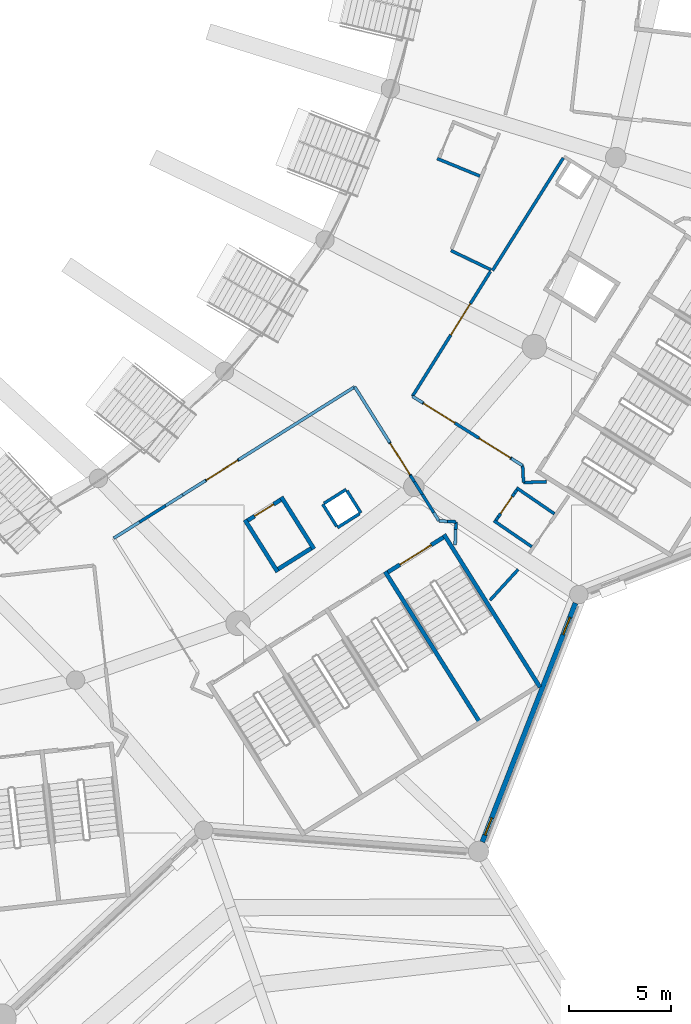
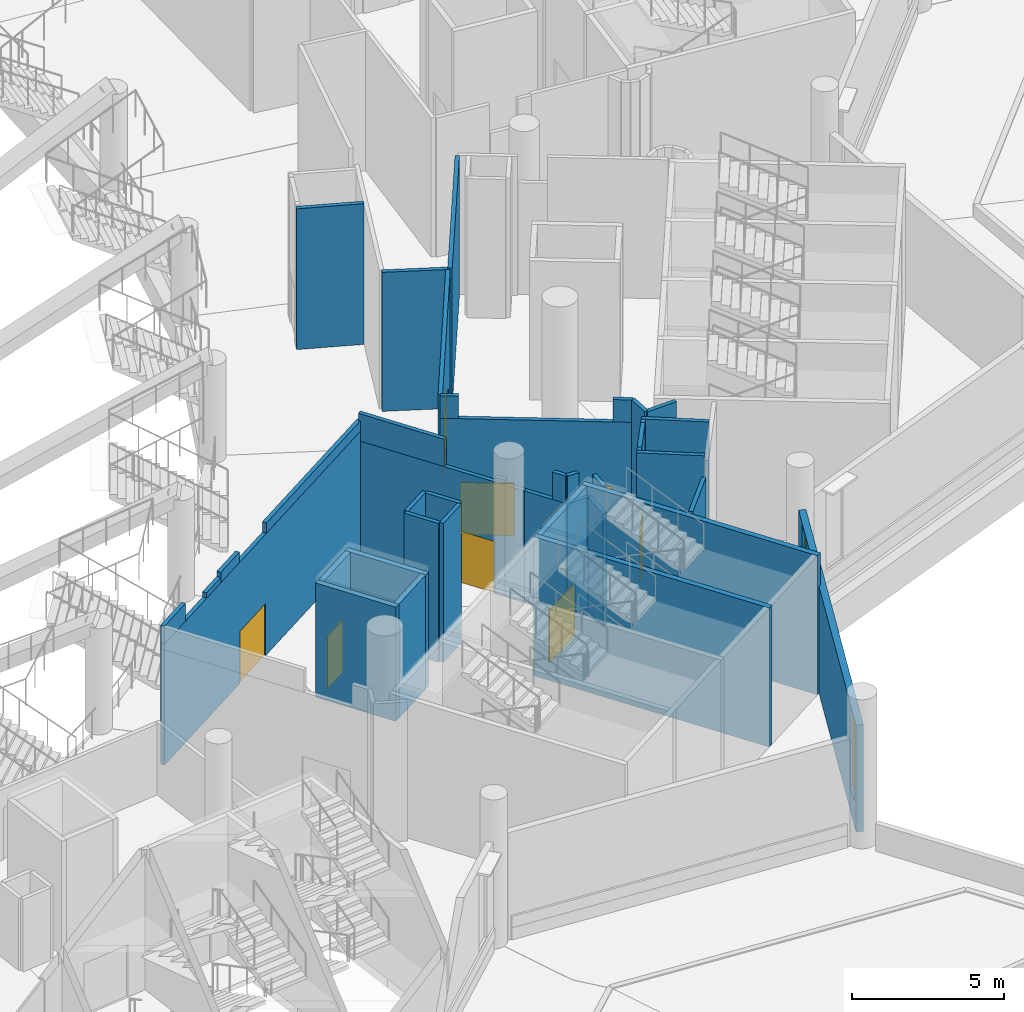
# One storey, part 54 of 173: 42 walls, 8 doors, 2 windows, 10 openings.
"""IFC4 building model written with IfcOpenShell, lengths in metres."""

from ifc_helpers import new_model, si_unit, direction, frame, frame_2d, origin, place, context, subcontext, project, spatial, rectangle, extrude, material, layer, layer_set, type_object, element, fill, save


model = new_model("IFC4")

# Units and contexts
model_context = context("Model", 3, precision=1e-05, world=origin(), true_north=direction((0.0, 1.0)))
body_context = subcontext(model_context, "Body", "Model", "MODEL_VIEW")
ifc_project = project(units=[si_unit("LENGTHUNIT", "METRE"), si_unit("AREAUNIT", "SQUARE_METRE"), si_unit("VOLUMEUNIT", "CUBIC_METRE"), si_unit("PLANEANGLEUNIT", "RADIAN"), si_unit("MASSUNIT", "GRAM", prefix="KILO")], contexts=[model_context])

# Site, building, storey
site_placement = place(None, origin())
site = spatial("IfcSite", under=ifc_project, at=site_placement, CompositionType="ELEMENT")
building_placement = place(site_placement, origin())
building = spatial("IfcBuilding", under=site, at=building_placement, Name="Meseta Stadium", CompositionType="ELEMENT")
storey_placement = place(building_placement, frame((0.0, 0.0, 18.0)))
storey = spatial("IfcBuildingStorey", under=building, at=storey_placement, Name="L03", CompositionType="ELEMENT", Elevation=18.0)

# Walls
ifc_material_1 = material(Name="Concrete C40/50", Category="concrete")
ifc_layer_1 = layer(ifc_material_1, 0.199951171875)
ifc_layer_set_1 = layer_set([ifc_layer_1], Name="Core divider wall 200")
wall_type_1 = type_object("IfcWallType", Name="Core divider wall 200", PredefinedType="SHEAR", material=ifc_layer_set_1)
wall_1_placement = place(storey_placement, frame((75.5869140625, -90.696533203125, 0.0), z_axis=(0.0, 0.0, 1.0), x_axis=(-0.532044832901, 0.846716183726, 0.0)))
element("IfcWall", 1, at=wall_1_placement, inside=storey, type_object=wall_type_1, Name="Core 27 L03 stair B divider wall", PredefinedType="SHEAR", context=body_context, shape_type="SweptSolid", body=[
    extrude(rectangle(XDim=8.7998046875, YDim=0.199951171875, at=frame_2d((4.39990234375, 0.0))), origin(), (0.0, 0.0, 1.0), 5.60009765625),
])
ifc_material_2 = material(Name="Concrete C40/50", Category="concrete")
ifc_layer_2 = layer(ifc_material_2, 0.199951171875)
ifc_layer_set_2 = layer_set([ifc_layer_2], Name="Core shaft wall 200")
wall_type_2 = type_object("IfcWallType", Name="Core shaft wall 200", PredefinedType="SHEAR", material=ifc_layer_set_2)
wall_2_placement = place(storey_placement, frame((78.4658203125, -88.8876953125, 0.0), z_axis=(0.0, 0.0, 1.0), x_axis=(-0.532032334759, 0.846724036963, 0.0)))
element("IfcWall", 2, at=wall_2_placement, inside=storey, type_object=wall_type_2, Name="Core 27 L03 stair wall B-side", PredefinedType="SHEAR", context=body_context, shape_type="SweptSolid", body=[
    extrude(rectangle(XDim=8.800048828125, YDim=0.199951171875, at=frame_2d((4.39990234375, 0.0))), origin(), (0.0, 0.0, 1.0), 5.60009765625),
])

# Wall, opening, door
wall_3_placement = place(storey_placement, frame((71.04296875, -83.27685546875, 0.0), z_axis=(0.0, 0.0, 1.0), x_axis=(0.846735733015, 0.532013720158, 0.0)))
wall_3 = element("IfcWall", 3, at=wall_3_placement, inside=storey, type_object=wall_type_2, Name="Core 27 L03 stair B2 inner end wall", PredefinedType="SHEAR", context=body_context, shape_type="SweptSolid", body=[
    extrude(rectangle(XDim=3.199951171875, YDim=0.199951171875, at=frame_2d((1.60009765625, 0.0))), origin(), (0.0, 0.0, 1.0), 5.60009765625),
])
opening_1_placement = place(wall_3_placement, frame((0.699951171875, 0.0, 0.0)))
opening_1 = element("IfcOpeningElement", 4, at=opening_1_placement, cuts=wall_3, Name="Opening D1434", PredefinedType="OPENING", context=body_context, shape_type="SweptSolid", body=[
    extrude(rectangle(XDim=1.800048828125, YDim=2.10009765625, at=frame_2d((0.89990234375, 1.050048828125))), frame((0.0, 0.10986328125, 0.0), z_axis=(0.0, -1.0, 0.0), x_axis=(1.0, 0.0, 0.0)), (0.0, 0.0, 1.0), 0.219970703125),
])
ifc_material_3 = material(Name="Steel", Category="steel")
door_type_1 = type_object("IfcDoorType", Name="Stair door 1800x2100", OperationType="DOUBLE_DOOR_SINGLE_SWING", PredefinedType="DOOR", material=ifc_material_3)
door_1_placement = place(opening_1_placement, origin())
door_1 = element("IfcDoor", 5, at=door_1_placement, inside=storey, type_object=door_type_1, Name="Stair B2 door 27 L03", OperationType="DOUBLE_DOOR_SINGLE_SWING", OverallHeight=2.10009765625, OverallWidth=1.800048828125, PredefinedType="DOOR", context=body_context, shape_type="SweptSolid", body=[
    extrude(rectangle(XDim=1.800048828125, YDim=2.10009765625, at=frame_2d((0.89990234375, 1.050048828125))), frame((0.0, 0.02490234375, 0.0), z_axis=(0.0, -1.0, 0.0), x_axis=(1.0, 0.0, 0.0)), (0.0, 0.0, 1.0), 0.050048828125),
])
fill(opening_1, door_1)

# Walls
wall_4_placement = place(storey_placement, frame((65.658935546875, -83.260498046875, 0.0), z_axis=(0.0, 0.0, 1.0), x_axis=(-0.532074873955, 0.846697306306, 0.0)))
element("IfcWall", 6, at=wall_4_placement, inside=storey, type_object=wall_type_2, Name="Core 27 L03 lift shaft wall left", PredefinedType="SHEAR", context=body_context, shape_type="SweptSolid", body=[
    extrude(rectangle(XDim=3.0, YDim=0.199951171875, at=frame_2d((1.5, 0.0))), origin(), (0.0, 0.0, 1.0), 4.60009765625),
])
wall_5_placement = place(storey_placement, frame((67.43701171875, -82.143310546875, 0.0), z_axis=(0.0, 0.0, 1.0), x_axis=(-0.532038212918, 0.84672034344, 0.0)))
element("IfcWall", 7, at=wall_5_placement, inside=storey, type_object=wall_type_2, Name="Core 27 L03 lift shaft wall right", PredefinedType="SHEAR", context=body_context, shape_type="SweptSolid", body=[
    extrude(rectangle(XDim=3.000244140625, YDim=0.199951171875, at=frame_2d((1.5, 0.0))), origin(), (0.0, 0.0, 1.0), 4.60009765625),
])
wall_6_placement = place(storey_placement, frame((65.6904296875, -83.122802734375, 0.0), z_axis=(0.0, 0.0, 1.0), x_axis=(0.846674592738, 0.532111016623, 0.0)))
element("IfcWall", 8, at=wall_6_placement, inside=storey, type_object=wall_type_2, Name="Core 27 L03 lift shaft back wall", PredefinedType="SHEAR", context=body_context, shape_type="SweptSolid", body=[
    extrude(rectangle(XDim=1.89990234375, YDim=0.199951171875, at=frame_2d((0.949951171875, 0.0))), origin(), (0.0, 0.0, 1.0), 4.60009765625),
])

# Wall, opening, door
wall_7_placement = place(storey_placement, frame((64.20068359375, -80.751708984375, 0.0), z_axis=(0.0, 0.0, 1.0), x_axis=(0.846768850524, 0.531961007765, 0.0)))
wall_7 = element("IfcWall", 9, at=wall_7_placement, inside=storey, type_object=wall_type_2, Name="Core 27 L03 lift shaft front wall", PredefinedType="SHEAR", context=body_context, shape_type="SweptSolid", body=[
    extrude(rectangle(XDim=1.900146484375, YDim=0.199951171875, at=frame_2d((0.9501953125, 0.0))), origin(), (0.0, 0.0, 1.0), 4.60009765625),
])
opening_2_placement = place(wall_7_placement, frame((0.39990234375, 0.0, 0.0)))
opening_2 = element("IfcOpeningElement", 10, at=opening_2_placement, cuts=wall_7, Name="Opening LD150", PredefinedType="OPENING", context=body_context, shape_type="SweptSolid", body=[
    extrude(rectangle(XDim=1.10009765625, YDim=2.10009765625, at=frame_2d((0.550048828125, 1.050048828125))), frame((0.0, 0.10986328125, 0.0), z_axis=(0.0, -1.0, 0.0), x_axis=(1.0, 0.0, 0.0)), (0.0, 0.0, 1.0), 0.219970703125),
])
ifc_material_4 = material(Name="Steel", Category="steel")
door_type_2 = type_object("IfcDoorType", Name="Lift landing door 1100x2100", OperationType="SLIDING_TO_LEFT", PredefinedType="DOOR", material=ifc_material_4)
door_2_placement = place(opening_2_placement, origin())
door_2 = element("IfcDoor", 11, at=door_2_placement, inside=storey, type_object=door_type_2, Name="Lift landing door LD150", OperationType="SLIDING_TO_RIGHT", OverallHeight=2.10009765625, OverallWidth=1.10009765625, PredefinedType="DOOR", context=body_context, shape_type="SweptSolid", body=[
    extrude(rectangle(XDim=1.10009765625, YDim=2.10009765625, at=frame_2d((0.550048828125, 1.050048828125))), frame((0.0, 0.02490234375, 0.0), z_axis=(0.0, -1.0, 0.0), x_axis=(1.0, 0.0, 0.0)), (0.0, 0.0, 1.0), 0.050048828125),
])
fill(opening_2, door_2)

# Walls
ifc_material_5 = material(Name="Masonry blockwork", Category="masonry")
ifc_layer_3 = layer(ifc_material_5, 0.14990234375)
ifc_layer_set_3 = layer_set([ifc_layer_3], Name="Partition 150")
wall_type_3 = type_object("IfcWallType", Name="Partition 150", PredefinedType="PARTITIONING", material=ifc_layer_set_3)
wall_8_placement = place(storey_placement, frame((76.033935546875, -84.6416015625, 0.0), z_axis=(0.0, 0.0, 1.0), x_axis=(0.674206513209, 0.738542874548, 0.0)))
element("IfcWall", 12, at=wall_8_placement, inside=storey, type_object=wall_type_3, Name="Partition L03 L03-cell26-1-0", PredefinedType="PARTITIONING", context=body_context, shape_type="SweptSolid", body=[
    extrude(rectangle(XDim=2.0263671875, YDim=0.14990234375, at=frame_2d((1.01318359375, 0.0))), origin(), (0.0, 0.0, 1.0), 5.60009765625),
])
wall_9_placement = place(storey_placement, frame((79.605224609375, -63.054931640625, 0.0), z_axis=(0.0, 0.0, 1.0), x_axis=(-0.532032873767, -0.846723698281, 0.0)))
element("IfcWall", 13, at=wall_9_placement, inside=storey, type_object=wall_type_3, Name="Partition L03 L03-cell27-1-0", PredefinedType="PARTITIONING", context=body_context, shape_type="SweptSolid", body=[
    extrude(rectangle(XDim=6.490478515625, YDim=0.14990234375, at=frame_2d((3.2451171875, 0.0))), origin(), (0.0, 0.0, 1.0), 5.60009765625),
])
wall_10_placement = place(storey_placement, frame((76.083984375, -68.517822265625, 0.0), z_axis=(0.0, 0.0, 1.0), x_axis=(-0.901173961911, 0.433457599279, 0.0)))
element("IfcWall", 14, at=wall_10_placement, inside=storey, type_object=wall_type_3, Name="Partition L03 L03-cell27-1-0", PredefinedType="PARTITIONING", context=body_context, shape_type="SweptSolid", body=[
    extrude(rectangle(XDim=2.173583984375, YDim=0.14990234375, at=frame_2d((1.0869140625, 0.0))), origin(), (0.0, 0.0, 1.0), 5.60009765625),
])
for number, where, z_axis, x_axis, name in (
    (15, (68.58203125, -81.09912109375, 0.0), (0.0, 0.0, 1.0), (0.846683377265, 0.532097038765, 0.0), "Pressurisation shaft wall L03 core 27"),
    (16, (69.72509765625, -80.380859375, 0.0), (0.0, 0.0, 1.0), (-0.532097038765, 0.846683377265, 0.0), "Pressurisation shaft wall L03 core 27"),
):
    element("IfcWall", number, at=place(storey_placement, frame(where, z_axis=z_axis, x_axis=x_axis)), inside=storey, type_object=wall_type_3, Name=name, PredefinedType="PARTITIONING", context=body_context, shape_type="SweptSolid", body=[
        extrude(rectangle(XDim=1.275146484375, YDim=0.14990234375, at=frame_2d((0.6376953125, 0.0))), origin(), (0.0, 0.0, 1.0), 5.60009765625),
    ])
for number, where, z_axis, x_axis, name in (
    (17, (69.0068359375, -79.23779296875, 0.0), (0.0, 0.0, 1.0), (-0.846769635862, -0.531959757672, 0.0), "Pressurisation shaft wall L03 core 27"),
    (18, (67.86376953125, -79.9560546875, 0.0), (0.0, 0.0, 1.0), (0.531959757672, -0.846769635862, 0.0), "Pressurisation shaft wall L03 core 27"),
):
    element("IfcWall", number, at=place(storey_placement, frame(where, z_axis=z_axis, x_axis=x_axis)), inside=storey, type_object=wall_type_3, Name=name, PredefinedType="PARTITIONING", context=body_context, shape_type="SweptSolid", body=[
        extrude(rectangle(XDim=1.27490234375, YDim=0.14990234375, at=frame_2d((0.637451171875, 0.0))), origin(), (0.0, 0.0, 1.0), 5.60009765625),
    ])
wall_11_placement = place(storey_placement, frame((74.3271484375, -81.945068359375, 0.0), z_axis=(0.0, 0.0, 1.0), x_axis=(0.035938640324, 0.999353998407, 0.0)))
element("IfcWall", 19, at=wall_11_placement, inside=storey, type_object=wall_type_3, Name="Stair vestibule wall L03 core 27", PredefinedType="PARTITIONING", context=body_context, shape_type="SweptSolid", body=[
    extrude(rectangle(XDim=1.127685546875, YDim=0.14990234375, at=frame_2d((0.56396484375, 0.0))), origin(), (0.0, 0.0, 1.0), 4.5),
])
wall_12_placement = place(storey_placement, frame((74.3271484375, -81.945068359375, 4.5), z_axis=(0.0, 0.0, 1.0), x_axis=(0.036038951541, 0.999350385987, 0.0)))
element("IfcWall", 20, at=wall_12_placement, inside=storey, type_object=wall_type_3, Name="Stair vestibule wall L03 core 27", PredefinedType="PARTITIONING", context=body_context, shape_type="SweptSolid", body=[
    extrude(rectangle(XDim=0.751953125, YDim=0.14990234375, at=frame_2d((0.3759765625, 0.0))), origin(), (0.0, 0.0, 1.0), 1.10009765625),
])
wall_13_placement = place(storey_placement, frame((74.36767578125, -80.818115234375, 0.0), z_axis=(0.0, 0.0, 1.0), x_axis=(-0.998626758292, 0.052388907449, 0.0)))
element("IfcWall", 21, at=wall_13_placement, inside=storey, type_object=wall_type_3, Name="Stair vestibule wall L03 core 27", PredefinedType="PARTITIONING", context=body_context, shape_type="SweptSolid", body=[
    extrude(rectangle(XDim=0.82958984375, YDim=0.14990234375, at=frame_2d((0.414794921875, 0.0))), origin(), (0.0, 0.0, 1.0), 4.5),
])
wall_14_placement = place(storey_placement, frame((73.953369140625, -80.79638671875, 4.5), z_axis=(0.0, 0.0, 1.0), x_axis=(-0.998625950146, 0.052404309884, 0.0)))
element("IfcWall", 22, at=wall_14_placement, inside=storey, type_object=wall_type_3, Name="Stair vestibule wall L03 core 27", PredefinedType="PARTITIONING", context=body_context, shape_type="SweptSolid", body=[
    extrude(rectangle(XDim=0.41455078125, YDim=0.14990234375, at=frame_2d((0.207275390625, 0.0))), origin(), (0.0, 0.0, 1.0), 1.10009765625),
])
wall_15_placement = place(storey_placement, frame((73.539306640625, -80.774658203125, 0.0), z_axis=(0.0, 0.0, 1.0), x_axis=(-0.532103006557, 0.846679626785, 0.0)))
element("IfcWall", 23, at=wall_15_placement, inside=storey, type_object=wall_type_3, Name="Stair vestibule wall L03 core 27", PredefinedType="PARTITIONING", context=body_context, shape_type="SweptSolid", body=[
    extrude(rectangle(XDim=1.531982421875, YDim=0.14990234375, at=frame_2d((0.76611328125, 0.0))), origin(), (0.0, 0.0, 1.0), 4.5),
])

# Wall, opening, door
wall_16_placement = place(storey_placement, frame((72.142822265625, -78.552490234375, 0.0), z_axis=(0.0, 0.0, 1.0), x_axis=(-0.53204233593, 0.846717752724, 0.0)))
wall_16 = element("IfcWall", 24, at=wall_16_placement, inside=storey, type_object=wall_type_3, Name="Stair vestibule wall L03 core 27", PredefinedType="PARTITIONING", context=body_context, shape_type="SweptSolid", body=[
    extrude(rectangle(XDim=5.108154296875, YDim=0.14990234375, at=frame_2d((2.55419921875, 0.0))), origin(), (0.0, 0.0, 1.0), 4.5),
])
opening_3_placement = place(wall_16_placement, frame((0.050048828125, 0.0, 0.0)))
opening_3 = element("IfcOpeningElement", 25, at=opening_3_placement, cuts=wall_16, Name="Opening D1432", PredefinedType="OPENING", context=body_context, shape_type="SweptSolid", body=[
    extrude(rectangle(XDim=1.800048828125, YDim=2.10009765625, at=frame_2d((0.89990234375, 1.050048828125))), frame((0.0, 0.0849609375, 0.0), z_axis=(0.0, -1.0, 0.0), x_axis=(1.0, 0.0, 0.0)), (0.0, 0.0, 1.0), 0.169921875),
])
ifc_material_6 = material(Name="Steel", Category="steel")
door_type_3 = type_object("IfcDoorType", Name="Fire double door 1800x2100 EI2 60", OperationType="DOUBLE_DOOR_SINGLE_SWING", PredefinedType="DOOR", material=ifc_material_6)
door_3_placement = place(opening_3_placement, origin())
door_3 = element("IfcDoor", 26, at=door_3_placement, inside=storey, type_object=door_type_3, Name="Stair vestibule door L03 core 27", OperationType="DOUBLE_DOOR_SINGLE_SWING", OverallHeight=2.10009765625, OverallWidth=1.800048828125, PredefinedType="DOOR", context=body_context, shape_type="SweptSolid", body=[
    extrude(rectangle(XDim=1.800048828125, YDim=2.10009765625, at=frame_2d((0.89990234375, 1.050048828125))), frame((0.0, 0.02490234375, 0.0), z_axis=(0.0, -1.0, 0.0), x_axis=(1.0, 0.0, 0.0)), (0.0, 0.0, 1.0), 0.050048828125),
])
fill(opening_3, door_3)

# Walls
wall_17_placement = place(storey_placement, frame((73.539306640625, -80.774658203125, 4.5), z_axis=(0.0, 0.0, 1.0), x_axis=(-0.532357724529, 0.846519493653, 0.0)))
element("IfcWall", 27, at=wall_17_placement, inside=storey, type_object=wall_type_3, Name="Stair vestibule wall L03 core 27", PredefinedType="PARTITIONING", context=body_context, shape_type="SweptSolid", body=[
    extrude(rectangle(XDim=0.4833984375, YDim=0.14990234375, at=frame_2d((0.24169921875, 0.0))), origin(), (0.0, 0.0, 1.0), 1.10009765625),
])
wall_18_placement = place(storey_placement, frame((71.132080078125, -76.943603515625, 4.5), z_axis=(0.0, 0.0, 1.0), x_axis=(-0.532090500172, 0.8466874864, 0.0)))
element("IfcWall", 28, at=wall_18_placement, inside=storey, type_object=wall_type_3, Name="Stair vestibule wall L03 core 27", PredefinedType="PARTITIONING", context=body_context, shape_type="SweptSolid", body=[
    extrude(rectangle(XDim=3.208251953125, YDim=0.14990234375, at=frame_2d((1.60400390625, 0.0))), origin(), (0.0, 0.0, 1.0), 1.10009765625),
])

# Wall, opening, door
wall_19_placement = place(storey_placement, frame((69.425048828125, -74.227294921875, 0.0), z_axis=(0.0, 0.0, 1.0), x_axis=(-0.84672500752, -0.532030790124, 0.0)))
wall_19 = element("IfcWall", 29, at=wall_19_placement, inside=storey, type_object=wall_type_3, Name="Stair vestibule wall L03 core 27", PredefinedType="PARTITIONING", context=body_context, shape_type="SweptSolid", body=[
    extrude(rectangle(XDim=13.889892578125, YDim=0.14990234375, at=frame_2d((6.94482421875, 0.0))), origin(), (0.0, 0.0, 1.0), 4.893798828125),
])
opening_4_placement = place(wall_19_placement, frame((6.75, 0.0, 0.0)))
opening_4 = element("IfcOpeningElement", 30, at=opening_4_placement, cuts=wall_19, Name="Opening D1423", PredefinedType="OPENING", context=body_context, shape_type="SweptSolid", body=[
    extrude(rectangle(XDim=1.800048828125, YDim=2.10009765625, at=frame_2d((0.89990234375, 1.050048828125))), frame((0.0, 0.0849609375, 0.0), z_axis=(0.0, -1.0, 0.0), x_axis=(1.0, 0.0, 0.0)), (0.0, 0.0, 1.0), 0.169921875),
])
door_4_placement = place(opening_4_placement, origin())
door_4 = element("IfcDoor", 31, at=door_4_placement, inside=storey, type_object=door_type_3, Name="Stair vestibule door L03 core 27", OperationType="DOUBLE_DOOR_SINGLE_SWING", OverallHeight=2.10009765625, OverallWidth=1.800048828125, PredefinedType="DOOR", context=body_context, shape_type="SweptSolid", body=[
    extrude(rectangle(XDim=1.800048828125, YDim=2.10009765625, at=frame_2d((0.89990234375, 1.050048828125))), frame((0.0, 0.02490234375, 0.0), z_axis=(0.0, -1.0, 0.0), x_axis=(1.0, 0.0, 0.0)), (0.0, 0.0, 1.0), 0.050048828125),
])
fill(opening_4, door_4)

# Walls
wall_20_placement = place(storey_placement, frame((62.143310546875, -78.802734375, 4.893798828125), z_axis=(0.0, 0.0, 1.0), x_axis=(-0.846781605919, -0.531940703347, 0.0)))
element("IfcWall", 32, at=wall_20_placement, inside=storey, type_object=wall_type_3, Name="Stair vestibule wall L03 core 27", PredefinedType="PARTITIONING", context=body_context, shape_type="SweptSolid", body=[
    extrude(rectangle(XDim=1.3212890625, YDim=0.14990234375, at=frame_2d((0.66064453125, 0.0))), origin(), (0.0, 0.0, 1.0), 0.41748046875),
])
wall_21_placement = place(storey_placement, frame((61.0244140625, -79.505615234375, 4.893798828125), z_axis=(0.0, 0.0, 1.0), x_axis=(-0.846737900462, -0.532010270503, 0.0)))
element("IfcWall", 33, at=wall_21_placement, inside=storey, type_object=wall_type_3, Name="Stair vestibule wall L03 core 27", PredefinedType="PARTITIONING", context=body_context, shape_type="SweptSolid", body=[
    extrude(rectangle(XDim=0.9921875, YDim=0.14990234375, at=frame_2d((0.49609375, 0.0))), origin(), (0.0, 0.0, 1.0), 0.208740234375),
])
wall_22_placement = place(storey_placement, frame((58.92431640625, -80.8251953125, 4.893798828125), z_axis=(0.0, 0.0, 1.0), x_axis=(-0.846687220735, -0.532090922911, 0.0)))
element("IfcWall", 34, at=wall_22_placement, inside=storey, type_object=wall_type_3, Name="Stair vestibule wall L03 core 27", PredefinedType="PARTITIONING", context=body_context, shape_type="SweptSolid", body=[
    extrude(rectangle(XDim=1.488525390625, YDim=0.14990234375, at=frame_2d((0.744140625, 0.0))), origin(), (0.0, 0.0, 1.0), 0.706298828125),
])
wall_23_placement = place(storey_placement, frame((72.72412109375, -79.4775390625, 0.0), z_axis=(0.0, 0.0, 1.0), x_axis=(-0.531986173683, 0.846753040154, 0.0)))
element("IfcWall", 35, at=wall_23_placement, inside=storey, type_object=wall_type_3, Name="Stair vestibule wall L03 core 27", PredefinedType="PARTITIONING", context=body_context, shape_type="SweptSolid", body=[
    extrude(rectangle(XDim=0.728271484375, YDim=0.14990234375, at=frame_2d((0.3642578125, 0.0))), origin(), (0.0, 0.0, 1.0), 4.5),
])
wall_24_placement = place(storey_placement, frame((72.336669921875, -78.86083984375, 0.0), z_axis=(0.0, 0.0, 1.0), x_axis=(-0.532226455425, 0.84660203174, 0.0)))
element("IfcWall", 36, at=wall_24_placement, inside=storey, type_object=wall_type_3, Name="Stair vestibule wall L03 core 27", PredefinedType="PARTITIONING", context=body_context, shape_type="SweptSolid", body=[
    extrude(rectangle(XDim=0.3642578125, YDim=0.14990234375, at=frame_2d((0.18212890625, 0.0))), origin(), (0.0, 0.0, 1.0), 4.699951171875),
])

# Wall, opening, door
wall_25_placement = place(storey_placement, frame((76.05224609375, -68.595947265625, 0.0), z_axis=(0.0, 0.0, 1.0), x_axis=(-0.530182105672, -0.84788379795, 0.0)))
wall_25 = element("IfcWall", 37, at=wall_25_placement, inside=storey, type_object=wall_type_3, Name="Stair vestibule wall L03 core 28", PredefinedType="PARTITIONING", context=body_context, shape_type="SweptSolid", body=[
    extrude(rectangle(XDim=7.188232421875, YDim=0.14990234375, at=frame_2d((3.59423828125, 0.0))), origin(), (0.0, 0.0, 1.0), 5.60009765625),
])
opening_5_placement = place(wall_25_placement, frame((1.85009765625, 0.0, 0.0)))
opening_5 = element("IfcOpeningElement", 38, at=opening_5_placement, cuts=wall_25, Name="Opening D1440", PredefinedType="OPENING", context=body_context, shape_type="SweptSolid", body=[
    extrude(rectangle(XDim=1.800048828125, YDim=2.10009765625, at=frame_2d((0.89990234375, 1.050048828125))), frame((0.0, 0.0849609375, 0.0), z_axis=(0.0, -1.0, 0.0), x_axis=(1.0, 0.0, 0.0)), (0.0, 0.0, 1.0), 0.169921875),
])
door_5_placement = place(opening_5_placement, origin())
door_5 = element("IfcDoor", 39, at=door_5_placement, inside=storey, type_object=door_type_3, Name="Stair vestibule door L03 core 28", OperationType="DOUBLE_DOOR_SINGLE_SWING", OverallHeight=2.10009765625, OverallWidth=1.800048828125, PredefinedType="DOOR", context=body_context, shape_type="SweptSolid", body=[
    extrude(rectangle(XDim=1.800048828125, YDim=2.10009765625, at=frame_2d((0.89990234375, 1.050048828125))), frame((0.0, 0.02490234375, 0.0), z_axis=(0.0, -1.0, 0.0), x_axis=(1.0, 0.0, 0.0)), (0.0, 0.0, 1.0), 0.050048828125),
])
fill(opening_5, door_5)

# Wall, openings, doors
wall_26_placement = place(storey_placement, frame((72.2412109375, -74.690673828125, 0.0), z_axis=(0.0, 0.0, 1.0), x_axis=(0.846709252204, -0.532055863826, 0.0)))
wall_26 = element("IfcWall", 40, at=wall_26_placement, inside=storey, type_object=wall_type_3, Name="Stair vestibule wall L03 core 28", PredefinedType="PARTITIONING", context=body_context, shape_type="SweptSolid", body=[
    extrude(rectangle(XDim=6.353759765625, YDim=0.14990234375, at=frame_2d((3.1767578125, 0.0))), origin(), (0.0, 0.0, 1.0), 4.699951171875),
])
opening_6_placement = place(wall_26_placement, frame((0.64990234375, 0.0, 0.0)))
opening_6 = element("IfcOpeningElement", 41, at=opening_6_placement, cuts=wall_26, Name="Opening D1436", PredefinedType="OPENING", context=body_context, shape_type="SweptSolid", body=[
    extrude(rectangle(XDim=1.800048828125, YDim=2.10009765625, at=frame_2d((0.89990234375, 1.050048828125))), frame((0.0, 0.0849609375, 0.0), z_axis=(0.0, -1.0, 0.0), x_axis=(1.0, 0.0, 0.0)), (0.0, 0.0, 1.0), 0.169921875),
])
opening_7_placement = place(wall_26_placement, frame((3.85009765625, 0.0, 0.0)))
opening_7 = element("IfcOpeningElement", 42, at=opening_7_placement, cuts=wall_26, Name="Opening D1443", PredefinedType="OPENING", context=body_context, shape_type="SweptSolid", body=[
    extrude(rectangle(XDim=1.800048828125, YDim=2.10009765625, at=frame_2d((0.89990234375, 1.050048828125))), frame((0.0, 0.0849609375, 0.0), z_axis=(0.0, -1.0, 0.0), x_axis=(1.0, 0.0, 0.0)), (0.0, 0.0, 1.0), 0.169921875),
])
door_6_placement = place(opening_6_placement, origin())
door_6 = element("IfcDoor", 43, at=door_6_placement, inside=storey, type_object=door_type_3, Name="Stair vestibule door L03 core 28", OperationType="DOUBLE_DOOR_SINGLE_SWING", OverallHeight=2.10009765625, OverallWidth=1.800048828125, PredefinedType="DOOR", context=body_context, shape_type="SweptSolid", body=[
    extrude(rectangle(XDim=1.800048828125, YDim=2.10009765625, at=frame_2d((0.89990234375, 1.050048828125))), frame((0.0, 0.02490234375, 0.0), z_axis=(0.0, -1.0, 0.0), x_axis=(1.0, 0.0, 0.0)), (0.0, 0.0, 1.0), 0.050048828125),
])
fill(opening_6, door_6)
door_7_placement = place(opening_7_placement, origin())
door_7 = element("IfcDoor", 44, at=door_7_placement, inside=storey, type_object=door_type_3, Name="Stair vestibule door L03 core 28", OperationType="DOUBLE_DOOR_SINGLE_SWING", OverallHeight=2.10009765625, OverallWidth=1.800048828125, PredefinedType="DOOR", context=body_context, shape_type="SweptSolid", body=[
    extrude(rectangle(XDim=1.800048828125, YDim=2.10009765625, at=frame_2d((0.89990234375, 1.050048828125))), frame((0.0, 0.02490234375, 0.0), z_axis=(0.0, -1.0, 0.0), x_axis=(1.0, 0.0, 0.0)), (0.0, 0.0, 1.0), 0.050048828125),
])
fill(opening_7, door_7)

# Walls
wall_27_placement = place(storey_placement, frame((72.2412109375, -74.690673828125, 4.699951171875), z_axis=(0.0, 0.0, 1.0), x_axis=(0.846715144197, -0.532046487243, 0.0)))
element("IfcWall", 45, at=wall_27_placement, inside=storey, type_object=wall_type_3, Name="Stair vestibule wall L03 core 28", PredefinedType="PARTITIONING", context=body_context, shape_type="SweptSolid", body=[
    extrude(rectangle(XDim=0.599853515625, YDim=0.14990234375, at=frame_2d((0.2998046875, 0.0))), origin(), (0.0, 0.0, 1.0), 0.900146484375),
])
wall_28_placement = place(storey_placement, frame((77.0673828125, -77.72314453125, 4.699951171875), z_axis=(0.0, 0.0, 1.0), x_axis=(0.846569271413, -0.532278563066, 0.0)))
element("IfcWall", 46, at=wall_28_placement, inside=storey, type_object=wall_type_3, Name="Stair vestibule wall L03 core 28", PredefinedType="PARTITIONING", context=body_context, shape_type="SweptSolid", body=[
    extrude(rectangle(XDim=0.654052734375, YDim=0.14990234375, at=frame_2d((0.3271484375, 0.0))), origin(), (0.0, 0.0, 1.0), 0.900146484375),
])
wall_29_placement = place(storey_placement, frame((77.62109375, -78.0712890625, 0.0), z_axis=(0.0, 0.0, 1.0), x_axis=(0.052666933407, -0.998612133977, 0.0)))
element("IfcWall", 47, at=wall_29_placement, inside=storey, type_object=wall_type_3, Name="Stair vestibule wall L03 core 28", PredefinedType="PARTITIONING", context=body_context, shape_type="SweptSolid", body=[
    extrude(rectangle(XDim=0.829833984375, YDim=0.14990234375, at=frame_2d((0.4150390625, 0.0))), origin(), (0.0, 0.0, 1.0), 5.60009765625),
])
wall_30_placement = place(storey_placement, frame((77.664794921875, -78.89990234375, 0.0), z_axis=(0.0, 0.0, 1.0), x_axis=(0.999353998407, 0.035938640324, 0.0)))
element("IfcWall", 48, at=wall_30_placement, inside=storey, type_object=wall_type_3, Name="Stair vestibule wall L03 core 28", PredefinedType="PARTITIONING", context=body_context, shape_type="SweptSolid", body=[
    extrude(rectangle(XDim=1.127685546875, YDim=0.14990234375, at=frame_2d((0.56396484375, 0.0))), origin(), (0.0, 0.0, 1.0), 5.60009765625),
])
wall_31_placement = place(storey_placement, frame((78.071044921875, -82.035400390625, 0.0), z_axis=(0.0, 0.0, 1.0), x_axis=(-0.824377350286, 0.566040620748, 0.0)))
element("IfcWall", 49, at=wall_31_placement, inside=storey, type_object=wall_type_3, Name="Partition L03 L03-cell26-1-0 vestibule", PredefinedType="PARTITIONING", context=body_context, shape_type="SweptSolid", body=[
    extrude(rectangle(XDim=2.250244140625, YDim=0.14990234375, at=frame_2d((1.125, 0.0))), origin(), (0.0, 0.0, 1.0), 5.60009765625),
])
wall_32_placement = place(storey_placement, frame((79.1748046875, -80.427734375, 0.0), z_axis=(0.0, 0.0, 1.0), x_axis=(-0.824427979221, 0.565966878075, 0.0)))
element("IfcWall", 50, at=wall_32_placement, inside=storey, type_object=wall_type_3, Name="Partition L03 L03-cell26-1-0 vestibule", PredefinedType="PARTITIONING", context=body_context, shape_type="SweptSolid", body=[
    extrude(rectangle(XDim=2.25, YDim=0.14990234375, at=frame_2d((1.125, 0.0))), origin(), (0.0, 0.0, 1.0), 5.60009765625),
])
wall_33_placement = place(storey_placement, frame((76.3203125, -80.742431640625, 0.0), z_axis=(0.0, 0.0, 1.0), x_axis=(0.566477008266, 0.824077544352, 0.0)))
element("IfcWall", 51, at=wall_33_placement, inside=storey, type_object=wall_type_3, Name="Partition L03 L03-cell26-1-0 vestibule", PredefinedType="PARTITIONING", context=body_context, shape_type="SweptSolid", body=[
    extrude(rectangle(XDim=0.199951171875, YDim=0.14990234375, at=frame_2d((0.10009765625, 0.0))), origin(), (0.0, 0.0, 1.0), 5.60009765625),
])

# Wall, opening, door
wall_34_placement = place(storey_placement, frame((76.43359375, -80.57763671875, 0.0), z_axis=(0.0, 0.0, 1.0), x_axis=(0.56587736417, 0.824489423049, 0.0)))
wall_34 = element("IfcWall", 52, at=wall_34_placement, inside=storey, type_object=wall_type_3, Name="Partition L03 L03-cell26-1-0 vestibule", PredefinedType="PARTITIONING", context=body_context, shape_type="SweptSolid", body=[
    extrude(rectangle(XDim=1.39990234375, YDim=0.14990234375, at=frame_2d((0.699951171875, 0.0))), origin(), (0.0, 0.0, 1.0), 5.60009765625),
])
opening_8_placement = place(wall_34_placement, frame((0.199951171875, 0.0, 0.0)))
opening_8 = element("IfcOpeningElement", 53, at=opening_8_placement, cuts=wall_34, Name="Opening D1445", PredefinedType="OPENING", context=body_context, shape_type="SweptSolid", body=[
    extrude(rectangle(XDim=1.0, YDim=2.10009765625, at=frame_2d((0.5, 1.050048828125))), frame((0.0, 0.0849609375, 0.0), z_axis=(0.0, -1.0, 0.0), x_axis=(1.0, 0.0, 0.0)), (0.0, 0.0, 1.0), 0.169921875),
])
ifc_material_7 = material(Name="Steel", Category="steel")
door_type_4 = type_object("IfcDoorType", Name="Fire door 1000x2100 EI2 60", OperationType="NOTDEFINED", PredefinedType="DOOR", material=ifc_material_7)
door_8_placement = place(opening_8_placement, origin())
door_8 = element("IfcDoor", 54, at=door_8_placement, inside=storey, type_object=door_type_4, Name="Vestibule door L03 L03-cell26-1-0", OperationType="SINGLE_SWING_RIGHT", OverallHeight=2.10009765625, OverallWidth=1.0, PredefinedType="DOOR", context=body_context, shape_type="SweptSolid", body=[
    extrude(rectangle(XDim=1.0, YDim=2.10009765625, at=frame_2d((0.5, 1.050048828125))), frame((0.0, 0.02490234375, 0.0), z_axis=(0.0, -1.0, 0.0), x_axis=(1.0, 0.0, 0.0)), (0.0, 0.0, 1.0), 0.050048828125),
])
fill(opening_8, door_8)

# Walls
wall_35_placement = place(storey_placement, frame((77.225830078125, -79.42333984375, 0.0), z_axis=(0.0, 0.0, 1.0), x_axis=(0.566477008266, 0.824077544352, 0.0)))
element("IfcWall", 55, at=wall_35_placement, inside=storey, type_object=wall_type_3, Name="Partition L03 L03-cell26-1-0 vestibule", PredefinedType="PARTITIONING", context=body_context, shape_type="SweptSolid", body=[
    extrude(rectangle(XDim=0.199951171875, YDim=0.14990234375, at=frame_2d((0.10009765625, 0.0))), origin(), (0.0, 0.0, 1.0), 5.60009765625),
])
wall_36_placement = place(storey_placement, frame((75.534423828125, -63.938232421875, 0.0), z_axis=(0.0, 0.0, 1.0), x_axis=(-0.925346328849, 0.379122897866, 0.0)))
element("IfcWall", 56, at=wall_36_placement, inside=storey, type_object=wall_type_3, Name="Partition L03 L03-cell27-1-0 vestibule", PredefinedType="PARTITIONING", context=body_context, shape_type="SweptSolid", body=[
    extrude(rectangle(XDim=2.25, YDim=0.14990234375, at=frame_2d((1.125, 0.0))), origin(), (0.0, 0.0, 1.0), 5.6689453125),
])
wall_37_placement = place(storey_placement, frame((69.425048828125, -74.227294921875, 4.893798828125), z_axis=(0.0, 0.0, 1.0), x_axis=(-0.846736917763, -0.532011834546, 0.0)))
element("IfcWall", 57, at=wall_37_placement, inside=storey, type_object=wall_type_3, Name="Stair vestibule wall L03 core 27", PredefinedType="PARTITIONING", context=body_context, shape_type="SweptSolid", body=[
    extrude(rectangle(XDim=6.699951171875, YDim=0.14990234375, at=frame_2d((3.35009765625, 0.0))), origin(), (0.0, 0.0, 1.0), 0.41748046875),
])

# Wall, openings, windows
ifc_material_8 = material(Name="White precast concrete C40/50", Category="concrete")
ifc_layer_4 = layer(ifc_material_8, 0.25)
ifc_layer_set_4 = layer_set([ifc_layer_4], Name="Pleated panel wall 250")
wall_type_4 = type_object("IfcWallType", Name="Pleated panel wall 250", PredefinedType="SOLIDWALL", material=ifc_layer_set_4)
wall_38_placement = place(storey_placement, frame((80.2021484375, -84.784423828125, 0.0), z_axis=(0.0, 0.0, 1.0), x_axis=(-0.363293457312, -0.931674762927, 0.0)))
wall_38 = element("IfcWall", 58, at=wall_38_placement, inside=storey, type_object=wall_type_4, Name="Pleated facade panel L03 F52", PredefinedType="SOLIDWALL", context=body_context, shape_type="SweptSolid", body=[
    extrude(rectangle(XDim=12.513671875, YDim=0.25, at=frame_2d((6.2568359375, 0.0))), origin(), (0.0, 0.0, 1.0), 4.300048828125),
])
opening_9_placement = place(wall_38_placement, frame((0.750244140625, 0.0, 1.0)))
opening_9 = element("IfcOpeningElement", 59, at=opening_9_placement, cuts=wall_38, Name="Opening W142", PredefinedType="OPENING", context=body_context, shape_type="SweptSolid", body=[
    extrude(rectangle(XDim=0.89990234375, YDim=3.25, at=frame_2d((0.449951171875, 1.625))), frame((0.0, 0.135009765625, 0.0), z_axis=(0.0, -1.0, 0.0), x_axis=(1.0, 0.0, 0.0)), (0.0, 0.0, 1.0), 0.27001953125),
])
opening_10_placement = place(wall_38_placement, frame((11.250244140625, 0.0, 1.0)))
opening_10 = element("IfcOpeningElement", 60, at=opening_10_placement, cuts=wall_38, Name="Opening W141", PredefinedType="OPENING", context=body_context, shape_type="SweptSolid", body=[
    extrude(rectangle(XDim=0.89990234375, YDim=3.25, at=frame_2d((0.449951171875, 1.625))), frame((0.0, 0.135009765625, 0.0), z_axis=(0.0, -1.0, 0.0), x_axis=(1.0, 0.0, 0.0)), (0.0, 0.0, 1.0), 0.27001953125),
])
ifc_material_9 = material(Name="Aluminium", Category="aluminium")
window_type = type_object("IfcWindowType", Name="Slot window 900x3250", PartitioningType="SINGLE_PANEL", PredefinedType="WINDOW", material=ifc_material_9)
window_1_placement = place(opening_9_placement, origin())
window_1 = element("IfcWindow", 61, at=window_1_placement, inside=storey, type_object=window_type, Name="Slot window L03 F52.1", OverallHeight=3.25, OverallWidth=0.89990234375, PartitioningType="SINGLE_PANEL", PredefinedType="WINDOW", context=body_context, shape_type="SweptSolid", body=[
    extrude(rectangle(XDim=0.89990234375, YDim=3.25, at=frame_2d((0.449951171875, 1.625))), frame((0.0, 0.030029296875, 0.0), z_axis=(0.0, -1.0, 0.0), x_axis=(1.0, 0.0, 0.0)), (0.0, 0.0, 1.0), 0.06005859375),
])
fill(opening_9, window_1)
window_2_placement = place(opening_10_placement, origin())
window_2 = element("IfcWindow", 62, at=window_2_placement, inside=storey, type_object=window_type, Name="Slot window L03 F52.6", OverallHeight=3.25, OverallWidth=0.89990234375, PartitioningType="SINGLE_PANEL", PredefinedType="WINDOW", context=body_context, shape_type="SweptSolid", body=[
    extrude(rectangle(XDim=0.89990234375, YDim=3.25, at=frame_2d((0.449951171875, 1.625))), frame((0.0, 0.030029296875, 0.0), z_axis=(0.0, -1.0, 0.0), x_axis=(1.0, 0.0, 0.0)), (0.0, 0.0, 1.0), 0.06005859375),
])
fill(opening_10, window_2)

save(model, "model.ifc")
